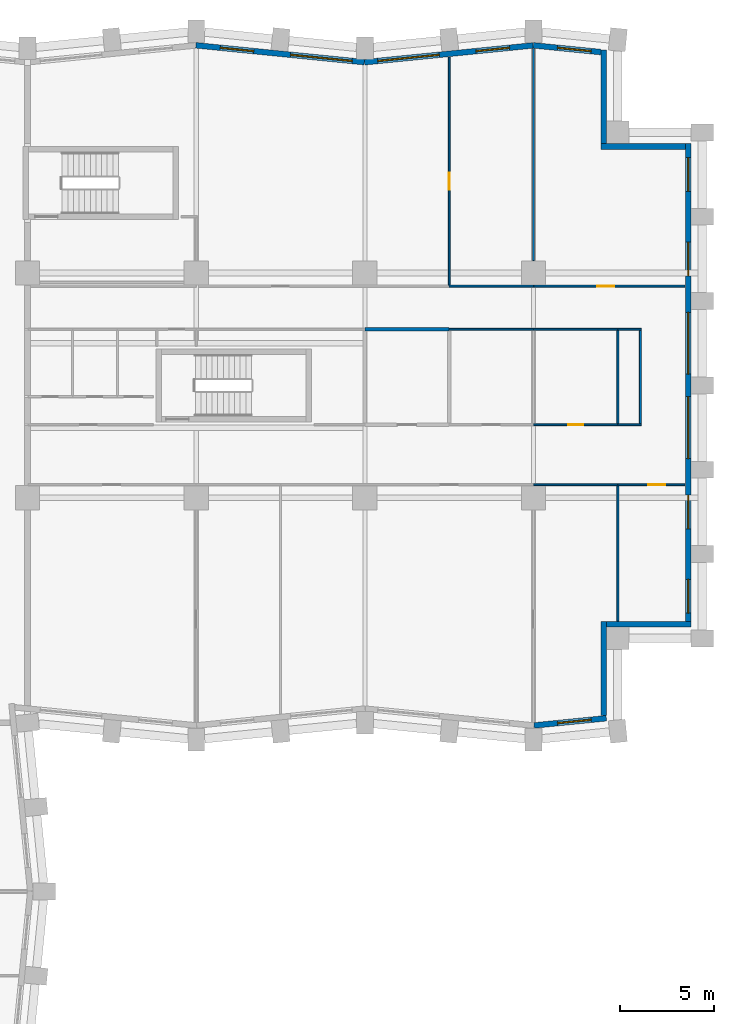
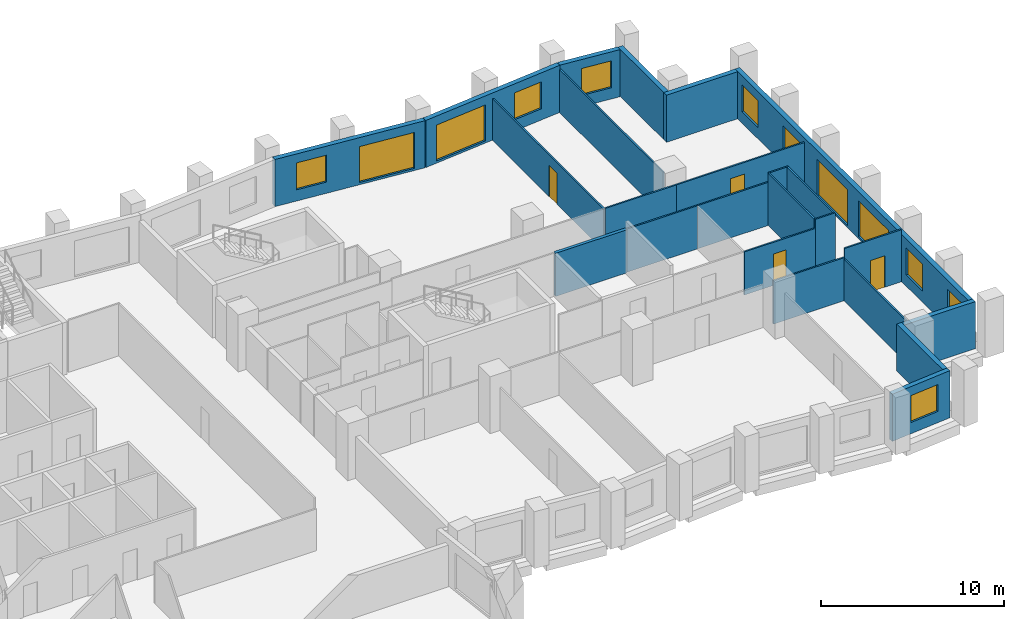
# One storey, part 8 of 11: 24 walls, 12 windows, 4 doors, 16 openings.
"""IFC4 building model written with IfcOpenShell, lengths in metres."""

from ifc_helpers import new_model, si_unit, direction, frame, frame_2d, origin, place, context, subcontext, project, spatial, rectangle, extrude, material, layer, layer_set, type_object, element, fill, save


model = new_model("IFC4")

# Units and contexts
model_context = context("Model", 3, precision=1e-05, world=origin(), true_north=direction((0.0, 1.0)))
body_context = subcontext(model_context, "Body", "Model", "MODEL_VIEW")
ifc_project = project(units=[si_unit("LENGTHUNIT", "METRE"), si_unit("AREAUNIT", "SQUARE_METRE"), si_unit("VOLUMEUNIT", "CUBIC_METRE"), si_unit("PLANEANGLEUNIT", "RADIAN"), si_unit("MASSUNIT", "GRAM", prefix="KILO")], contexts=[model_context])

# Site, building, storey
site_placement = place(None, origin())
site = spatial("IfcSite", under=ifc_project, at=site_placement, CompositionType="ELEMENT")
building_placement = place(site_placement, origin())
building = spatial("IfcBuilding", under=site, at=building_placement, Name="Brondeck Convention Tower", CompositionType="ELEMENT")
storey_placement = place(building_placement, frame((0.0, 0.0, 92.300048828125)))
storey = spatial("IfcBuildingStorey", under=building, at=storey_placement, Name="L21", CompositionType="ELEMENT", Elevation=92.300048828125)

# Wall, opening, window
ifc_material_1 = material(Name="Precast concrete C50/60 bronze finish", Category="concrete")
ifc_layer_1 = layer(ifc_material_1, 0.070068359375, Name="Bronze precast facing")
ifc_material_2 = material(Name="Mineral wool")
ifc_layer_2 = layer(ifc_material_2, 0.159912109375, Name="Insulation")
ifc_material_3 = material(Name="Concrete C35/45", Category="concrete")
ifc_layer_3 = layer(ifc_material_3, 0.070068359375, Name="Backing")
ifc_layer_set_1 = layer_set([ifc_layer_1, ifc_layer_2, ifc_layer_3], Name="External infill wall, precast concrete C50/60 bronze facing")
wall_type_1 = type_object("IfcWallType", Name="External infill wall, precast concrete C50/60 bronze facing", PredefinedType="SOLIDWALL", material=ifc_layer_set_1)
wall_1_placement = place(storey_placement, frame((66.885009765625, 27.2421875, 0.0), z_axis=(0.0, 0.0, 1.0), x_axis=(-0.995037814081, -0.099497480111, 0.0)))
wall_1 = element("IfcWall", 1, at=wall_1_placement, inside=storey, type_object=wall_type_1, Name="ENV-EW-L21-P0-A-S-06", PredefinedType="SOLIDWALL", context=body_context, shape_type="SweptSolid", body=[
    extrude(rectangle(XDim=3.87451171875, YDim=0.300048828125, at=frame_2d((1.937255859375, 0.0))), origin(), (0.0, 0.0, 1.0), 3.14990234375),
])
opening_1_placement = place(wall_1_placement, frame((0.818359375, 0.0, 0.75)))
opening_1 = element("IfcOpeningElement", 2, at=opening_1_placement, cuts=wall_1, Name="Opening W10", PredefinedType="OPENING", context=body_context, shape_type="SweptSolid", body=[
    extrude(rectangle(XDim=1.800048828125, YDim=1.800048828125, at=frame_2d((0.89990234375, 0.89990234375))), frame((0.0, 0.159912109375, 0.0), z_axis=(0.0, -1.0, 0.0), x_axis=(1.0, 0.0, 0.0)), (0.0, 0.0, 1.0), 0.320068359375),
])
ifc_material_4 = material(Name="Bronze tinted double glazing", Category="glass")
window_type_1 = type_object("IfcWindowType", Name="Punched window, bronze tinted", PartitioningType="SINGLE_PANEL", PredefinedType="WINDOW", material=ifc_material_4)
window_1_placement = place(opening_1_placement, origin())
window_1 = element("IfcWindow", 3, at=window_1_placement, inside=storey, type_object=window_type_1, Name="ENV-WN-L21-P0-A-S-06", OverallHeight=1.800048828125, OverallWidth=1.800048828125, PartitioningType="SINGLE_PANEL", PredefinedType="WINDOW", context=body_context, shape_type="SweptSolid", body=[
    extrude(rectangle(XDim=1.800048828125, YDim=1.800048828125, at=frame_2d((0.89990234375, 0.89990234375))), frame((0.0, 0.030029296875, 0.0), z_axis=(0.0, -1.0, 0.0), x_axis=(1.0, 0.0, 0.0)), (0.0, 0.0, 1.0), 0.06005859375),
])
fill(opening_1, window_1)

# Walls
wall_2_placement = place(storey_placement, frame((66.75, 32.39990234375, 0.0), z_axis=(0.0, 0.0, 1.0), x_axis=(0.0, -1.0, 0.0)))
element("IfcWall", 4, at=wall_2_placement, inside=storey, type_object=wall_type_1, Name="ENV-EW-L21-P0-NC-SEA72-01", PredefinedType="SOLIDWALL", context=body_context, shape_type="SweptSolid", body=[
    extrude(rectangle(XDim=5.019287109375, YDim=0.300048828125, at=frame_2d((2.509765625, 0.0))), origin(), (0.0, 0.0, 1.0), 3.14990234375),
])
wall_3_placement = place(storey_placement, frame((71.39990234375, 32.25, 0.0), z_axis=(0.0, 0.0, 1.0), x_axis=(-1.0, 0.0, 0.0)))
element("IfcWall", 5, at=wall_3_placement, inside=storey, type_object=wall_type_1, Name="ENV-EW-L21-P0-NC-SEA72-02", PredefinedType="SOLIDWALL", context=body_context, shape_type="SweptSolid", body=[
    extrude(rectangle(XDim=4.5, YDim=0.300048828125, at=frame_2d((2.25, 0.0))), origin(), (0.0, 0.0, 1.0), 3.14990234375),
])

# Wall, openings, windows
wall_4_placement = place(storey_placement, frame((71.25, 57.89990234375, 0.0), z_axis=(0.0, 0.0, 1.0), x_axis=(0.0, -1.0, 0.0)))
wall_4 = element("IfcWall", 6, at=wall_4_placement, inside=storey, type_object=wall_type_1, Name="ENV-EW-L21-P0-A-E72-01", PredefinedType="SOLIDWALL", context=body_context, shape_type="SweptSolid", body=[
    extrude(rectangle(XDim=25.501953125, YDim=0.300048828125, at=frame_2d((12.7509765625, 0.0))), origin(), (0.0, 0.0, 1.0), 3.14990234375),
])
opening_2_placement = place(wall_4_placement, frame((0.75, 0.0, 0.75)))
opening_2 = element("IfcOpeningElement", 7, at=opening_2_placement, cuts=wall_4, Name="Opening W10", PredefinedType="OPENING", context=body_context, shape_type="SweptSolid", body=[
    extrude(rectangle(XDim=1.800048828125, YDim=1.800048828125, at=frame_2d((0.89990234375, 0.89990234375))), frame((0.0, 0.159912109375, 0.0), z_axis=(0.0, -1.0, 0.0), x_axis=(1.0, 0.0, 0.0)), (0.0, 0.0, 1.0), 0.320068359375),
])
opening_3_placement = place(wall_4_placement, frame((5.25, 0.0, 0.75)))
opening_3 = element("IfcOpeningElement", 8, at=opening_3_placement, cuts=wall_4, Name="Opening W10", PredefinedType="OPENING", context=body_context, shape_type="SweptSolid", body=[
    extrude(rectangle(XDim=1.800048828125, YDim=1.800048828125, at=frame_2d((0.89990234375, 0.89990234375))), frame((0.0, 0.159912109375, 0.0), z_axis=(0.0, -1.0, 0.0), x_axis=(1.0, 0.0, 0.0)), (0.0, 0.0, 1.0), 0.320068359375),
])
opening_4_placement = place(wall_4_placement, frame((9.0, 0.0, 0.14990234375)))
opening_4 = element("IfcOpeningElement", 9, at=opening_4_placement, cuts=wall_4, Name="Opening W9", PredefinedType="OPENING", context=body_context, shape_type="SweptSolid", body=[
    extrude(rectangle(XDim=3.300048828125, YDim=2.39990234375, at=frame_2d((1.64990234375, 1.199951171875))), frame((0.0, 0.159912109375, 0.0), z_axis=(0.0, -1.0, 0.0), x_axis=(1.0, 0.0, 0.0)), (0.0, 0.0, 1.0), 0.320068359375),
])
opening_5_placement = place(wall_4_placement, frame((13.5, 0.0, 0.14990234375)))
opening_5 = element("IfcOpeningElement", 10, at=opening_5_placement, cuts=wall_4, Name="Opening W9", PredefinedType="OPENING", context=body_context, shape_type="SweptSolid", body=[
    extrude(rectangle(XDim=3.300048828125, YDim=2.39990234375, at=frame_2d((1.64990234375, 1.199951171875))), frame((0.0, 0.159912109375, 0.0), z_axis=(0.0, -1.0, 0.0), x_axis=(1.0, 0.0, 0.0)), (0.0, 0.0, 1.0), 0.320068359375),
])
opening_6_placement = place(wall_4_placement, frame((18.75, 0.0, 0.75)))
opening_6 = element("IfcOpeningElement", 11, at=opening_6_placement, cuts=wall_4, Name="Opening W10", PredefinedType="OPENING", context=body_context, shape_type="SweptSolid", body=[
    extrude(rectangle(XDim=1.800048828125, YDim=1.800048828125, at=frame_2d((0.89990234375, 0.89990234375))), frame((0.0, 0.159912109375, 0.0), z_axis=(0.0, -1.0, 0.0), x_axis=(1.0, 0.0, 0.0)), (0.0, 0.0, 1.0), 0.320068359375),
])
opening_7_placement = place(wall_4_placement, frame((23.25, 0.0, 0.75)))
opening_7 = element("IfcOpeningElement", 12, at=opening_7_placement, cuts=wall_4, Name="Opening W10", PredefinedType="OPENING", context=body_context, shape_type="SweptSolid", body=[
    extrude(rectangle(XDim=1.800048828125, YDim=1.800048828125, at=frame_2d((0.89990234375, 0.89990234375))), frame((0.0, 0.159912109375, 0.0), z_axis=(0.0, -1.0, 0.0), x_axis=(1.0, 0.0, 0.0)), (0.0, 0.0, 1.0), 0.320068359375),
])
window_type_2 = type_object("IfcWindowType", Name="Glazed flute window, bronze tinted", PartitioningType="SINGLE_PANEL", PredefinedType="WINDOW", material=ifc_material_4)
window_2_placement = place(opening_4_placement, origin())
window_2 = element("IfcWindow", 13, at=window_2_placement, inside=storey, type_object=window_type_2, Name="ENV-WN-L21-P0-A-E72-04", OverallHeight=2.39990234375, OverallWidth=3.300048828125, PartitioningType="SINGLE_PANEL", PredefinedType="WINDOW", context=body_context, shape_type="SweptSolid", body=[
    extrude(rectangle(XDim=3.300048828125, YDim=2.39990234375, at=frame_2d((1.64990234375, 1.199951171875))), frame((0.0, 0.030029296875, 0.0), z_axis=(0.0, -1.0, 0.0), x_axis=(1.0, 0.0, 0.0)), (0.0, 0.0, 1.0), 0.06005859375),
])
fill(opening_4, window_2)
window_3_placement = place(opening_5_placement, origin())
window_3 = element("IfcWindow", 14, at=window_3_placement, inside=storey, type_object=window_type_2, Name="ENV-WN-L21-P0-A-E72-03", OverallHeight=2.39990234375, OverallWidth=3.300048828125, PartitioningType="SINGLE_PANEL", PredefinedType="WINDOW", context=body_context, shape_type="SweptSolid", body=[
    extrude(rectangle(XDim=3.300048828125, YDim=2.39990234375, at=frame_2d((1.64990234375, 1.199951171875))), frame((0.0, 0.030029296875, 0.0), z_axis=(0.0, -1.0, 0.0), x_axis=(1.0, 0.0, 0.0)), (0.0, 0.0, 1.0), 0.06005859375),
])
fill(opening_5, window_3)
window_4_placement = place(opening_2_placement, origin())
window_4 = element("IfcWindow", 15, at=window_4_placement, inside=storey, type_object=window_type_1, Name="ENV-WN-L21-P0-A-E72-06", OverallHeight=1.800048828125, OverallWidth=1.800048828125, PartitioningType="SINGLE_PANEL", PredefinedType="WINDOW", context=body_context, shape_type="SweptSolid", body=[
    extrude(rectangle(XDim=1.800048828125, YDim=1.800048828125, at=frame_2d((0.89990234375, 0.89990234375))), frame((0.0, 0.030029296875, 0.0), z_axis=(0.0, -1.0, 0.0), x_axis=(1.0, 0.0, 0.0)), (0.0, 0.0, 1.0), 0.06005859375),
])
fill(opening_2, window_4)
window_5_placement = place(opening_3_placement, origin())
window_5 = element("IfcWindow", 16, at=window_5_placement, inside=storey, type_object=window_type_1, Name="ENV-WN-L21-P0-A-E72-05", OverallHeight=1.800048828125, OverallWidth=1.800048828125, PartitioningType="SINGLE_PANEL", PredefinedType="WINDOW", context=body_context, shape_type="SweptSolid", body=[
    extrude(rectangle(XDim=1.800048828125, YDim=1.800048828125, at=frame_2d((0.89990234375, 0.89990234375))), frame((0.0, 0.030029296875, 0.0), z_axis=(0.0, -1.0, 0.0), x_axis=(1.0, 0.0, 0.0)), (0.0, 0.0, 1.0), 0.06005859375),
])
fill(opening_3, window_5)
window_6_placement = place(opening_6_placement, origin())
window_6 = element("IfcWindow", 17, at=window_6_placement, inside=storey, type_object=window_type_1, Name="ENV-WN-L21-P0-A-E72-02", OverallHeight=1.800048828125, OverallWidth=1.800048828125, PartitioningType="SINGLE_PANEL", PredefinedType="WINDOW", context=body_context, shape_type="SweptSolid", body=[
    extrude(rectangle(XDim=1.800048828125, YDim=1.800048828125, at=frame_2d((0.89990234375, 0.89990234375))), frame((0.0, 0.030029296875, 0.0), z_axis=(0.0, -1.0, 0.0), x_axis=(1.0, 0.0, 0.0)), (0.0, 0.0, 1.0), 0.06005859375),
])
fill(opening_6, window_6)
window_7_placement = place(opening_7_placement, origin())
window_7 = element("IfcWindow", 18, at=window_7_placement, inside=storey, type_object=window_type_1, Name="ENV-WN-L21-P0-A-E72-01", OverallHeight=1.800048828125, OverallWidth=1.800048828125, PartitioningType="SINGLE_PANEL", PredefinedType="WINDOW", context=body_context, shape_type="SweptSolid", body=[
    extrude(rectangle(XDim=1.800048828125, YDim=1.800048828125, at=frame_2d((0.89990234375, 0.89990234375))), frame((0.0, 0.030029296875, 0.0), z_axis=(0.0, -1.0, 0.0), x_axis=(1.0, 0.0, 0.0)), (0.0, 0.0, 1.0), 0.06005859375),
])
fill(opening_7, window_7)

# Walls
wall_5_placement = place(storey_placement, frame((66.60009765625, 57.75, 0.0), z_axis=(0.0, 0.0, 1.0), x_axis=(1.0, 0.0, 0.0)))
element("IfcWall", 19, at=wall_5_placement, inside=storey, type_object=wall_type_1, Name="ENV-EW-L21-P0-NC-NEA72-01", PredefinedType="SOLIDWALL", context=body_context, shape_type="SweptSolid", body=[
    extrude(rectangle(XDim=4.5, YDim=0.300048828125, at=frame_2d((2.25, 0.0))), origin(), (0.0, 0.0, 1.0), 3.14990234375),
])
wall_6_placement = place(storey_placement, frame((66.75, 62.906982421875, 0.0), z_axis=(0.0, 0.0, 1.0), x_axis=(0.0, -1.0, 0.0)))
element("IfcWall", 20, at=wall_6_placement, inside=storey, type_object=wall_type_1, Name="ENV-EW-L21-P0-NC-NEA72-02", PredefinedType="SOLIDWALL", context=body_context, shape_type="SweptSolid", body=[
    extrude(rectangle(XDim=5.009033203125, YDim=0.300048828125, at=frame_2d((2.50439453125, 0.0))), origin(), (0.0, 0.0, 1.0), 3.14990234375),
])

# Wall, opening, window
wall_7_placement = place(storey_placement, frame((62.985107421875, 63.147705078125, 0.0), z_axis=(0.0, 0.0, 1.0), x_axis=(0.995038521274, -0.099490407478, 0.0)))
wall_7 = element("IfcWall", 21, at=wall_7_placement, inside=storey, type_object=wall_type_1, Name="ENV-EW-L21-P0-A-N-14", PredefinedType="SOLIDWALL", context=body_context, shape_type="SweptSolid", body=[
    extrude(rectangle(XDim=3.6318359375, YDim=0.300048828125, at=frame_2d((1.81591796875, 0.0))), origin(), (0.0, 0.0, 1.0), 3.14990234375),
])
opening_8_placement = place(wall_7_placement, frame((1.30126953125, 0.0, 0.75)))
opening_8 = element("IfcOpeningElement", 22, at=opening_8_placement, cuts=wall_7, Name="Opening W10", PredefinedType="OPENING", context=body_context, shape_type="SweptSolid", body=[
    extrude(rectangle(XDim=1.800048828125, YDim=1.800048828125, at=frame_2d((0.89990234375, 0.89990234375))), frame((0.0, 0.159912109375, 0.0), z_axis=(0.0, -1.0, 0.0), x_axis=(1.0, 0.0, 0.0)), (0.0, 0.0, 1.0), 0.320068359375),
])
window_8_placement = place(opening_8_placement, origin())
window_8 = element("IfcWindow", 23, at=window_8_placement, inside=storey, type_object=window_type_1, Name="ENV-WN-L21-P0-A-N-14", OverallHeight=1.800048828125, OverallWidth=1.800048828125, PartitioningType="SINGLE_PANEL", PredefinedType="WINDOW", context=body_context, shape_type="SweptSolid", body=[
    extrude(rectangle(XDim=1.800048828125, YDim=1.800048828125, at=frame_2d((0.89990234375, 0.89990234375))), frame((0.0, 0.030029296875, 0.0), z_axis=(0.0, -1.0, 0.0), x_axis=(1.0, 0.0, 0.0)), (0.0, 0.0, 1.0), 0.06005859375),
])
fill(opening_8, window_8)

# Wall, openings, windows
wall_8_placement = place(storey_placement, frame((53.985107421875, 62.244873046875, 0.0), z_axis=(0.0, 0.0, 1.0), x_axis=(0.995037993253, 0.099495688264, 0.0)))
wall_8 = element("IfcWall", 24, at=wall_8_placement, inside=storey, type_object=wall_type_1, Name="ENV-EW-L21-P0-A-N-13", PredefinedType="SOLIDWALL", context=body_context, shape_type="SweptSolid", body=[
    extrude(rectangle(XDim=9.030029296875, YDim=0.300048828125, at=frame_2d((4.51513671875, 0.0))), origin(), (0.0, 0.0, 1.0), 3.14990234375),
])
opening_9_placement = place(wall_8_placement, frame((0.701171875, 0.0, 0.14990234375)))
opening_9 = element("IfcOpeningElement", 25, at=opening_9_placement, cuts=wall_8, Name="Opening W9", PredefinedType="OPENING", context=body_context, shape_type="SweptSolid", body=[
    extrude(rectangle(XDim=3.300048828125, YDim=2.39990234375, at=frame_2d((1.64990234375, 1.199951171875))), frame((0.0, 0.159912109375, 0.0), z_axis=(0.0, -1.0, 0.0), x_axis=(1.0, 0.0, 0.0)), (0.0, 0.0, 1.0), 0.320068359375),
])
opening_10_placement = place(wall_8_placement, frame((5.9736328125, 0.0, 0.75)))
opening_10 = element("IfcOpeningElement", 26, at=opening_10_placement, cuts=wall_8, Name="Opening W10", PredefinedType="OPENING", context=body_context, shape_type="SweptSolid", body=[
    extrude(rectangle(XDim=1.800048828125, YDim=1.800048828125, at=frame_2d((0.89990234375, 0.89990234375))), frame((0.0, 0.159912109375, 0.0), z_axis=(0.0, -1.0, 0.0), x_axis=(1.0, 0.0, 0.0)), (0.0, 0.0, 1.0), 0.320068359375),
])
window_9_placement = place(opening_9_placement, origin())
window_9 = element("IfcWindow", 27, at=window_9_placement, inside=storey, type_object=window_type_2, Name="ENV-WN-L21-P0-A-N-12", OverallHeight=2.39990234375, OverallWidth=3.300048828125, PartitioningType="SINGLE_PANEL", PredefinedType="WINDOW", context=body_context, shape_type="SweptSolid", body=[
    extrude(rectangle(XDim=3.300048828125, YDim=2.39990234375, at=frame_2d((1.64990234375, 1.199951171875))), frame((0.0, 0.030029296875, 0.0), z_axis=(0.0, -1.0, 0.0), x_axis=(1.0, 0.0, 0.0)), (0.0, 0.0, 1.0), 0.06005859375),
])
fill(opening_9, window_9)
window_10_placement = place(opening_10_placement, origin())
window_10 = element("IfcWindow", 28, at=window_10_placement, inside=storey, type_object=window_type_1, Name="ENV-WN-L21-P0-A-N-13", OverallHeight=1.800048828125, OverallWidth=1.800048828125, PartitioningType="SINGLE_PANEL", PredefinedType="WINDOW", context=body_context, shape_type="SweptSolid", body=[
    extrude(rectangle(XDim=1.800048828125, YDim=1.800048828125, at=frame_2d((0.89990234375, 0.89990234375))), frame((0.0, 0.030029296875, 0.0), z_axis=(0.0, -1.0, 0.0), x_axis=(1.0, 0.0, 0.0)), (0.0, 0.0, 1.0), 0.06005859375),
])
fill(opening_10, window_10)

wall_9_placement = place(storey_placement, frame((44.985107421875, 63.147705078125, 0.0), z_axis=(0.0, 0.0, 1.0), x_axis=(0.995037993253, -0.099495688264, 0.0)))
wall_9 = element("IfcWall", 29, at=wall_9_placement, inside=storey, type_object=wall_type_1, Name="ENV-EW-L21-P0-A-N-11", PredefinedType="SOLIDWALL", context=body_context, shape_type="SweptSolid", body=[
    extrude(rectangle(XDim=9.030029296875, YDim=0.300048828125, at=frame_2d((4.51513671875, 0.0))), origin(), (0.0, 0.0, 1.0), 3.14990234375),
])
opening_11_placement = place(wall_9_placement, frame((1.30126953125, 0.0, 0.75)))
opening_11 = element("IfcOpeningElement", 30, at=opening_11_placement, cuts=wall_9, Name="Opening W10", PredefinedType="OPENING", context=body_context, shape_type="SweptSolid", body=[
    extrude(rectangle(XDim=1.800048828125, YDim=1.800048828125, at=frame_2d((0.89990234375, 0.89990234375))), frame((0.0, 0.159912109375, 0.0), z_axis=(0.0, -1.0, 0.0), x_axis=(1.0, 0.0, 0.0)), (0.0, 0.0, 1.0), 0.320068359375),
])
opening_12_placement = place(wall_9_placement, frame((5.073486328125, 0.0, 0.14990234375)))
opening_12 = element("IfcOpeningElement", 31, at=opening_12_placement, cuts=wall_9, Name="Opening W9", PredefinedType="OPENING", context=body_context, shape_type="SweptSolid", body=[
    extrude(rectangle(XDim=3.300048828125, YDim=2.39990234375, at=frame_2d((1.64990234375, 1.199951171875))), frame((0.0, 0.159912109375, 0.0), z_axis=(0.0, -1.0, 0.0), x_axis=(1.0, 0.0, 0.0)), (0.0, 0.0, 1.0), 0.320068359375),
])
window_11_placement = place(opening_12_placement, origin())
window_11 = element("IfcWindow", 32, at=window_11_placement, inside=storey, type_object=window_type_2, Name="ENV-WN-L21-P0-A-N-11", OverallHeight=2.39990234375, OverallWidth=3.300048828125, PartitioningType="SINGLE_PANEL", PredefinedType="WINDOW", context=body_context, shape_type="SweptSolid", body=[
    extrude(rectangle(XDim=3.300048828125, YDim=2.39990234375, at=frame_2d((1.64990234375, 1.199951171875))), frame((0.0, 0.030029296875, 0.0), z_axis=(0.0, -1.0, 0.0), x_axis=(1.0, 0.0, 0.0)), (0.0, 0.0, 1.0), 0.06005859375),
])
fill(opening_12, window_11)
window_12_placement = place(opening_11_placement, origin())
window_12 = element("IfcWindow", 33, at=window_12_placement, inside=storey, type_object=window_type_1, Name="ENV-WN-L21-P0-A-N-10", OverallHeight=1.800048828125, OverallWidth=1.800048828125, PartitioningType="SINGLE_PANEL", PredefinedType="WINDOW", context=body_context, shape_type="SweptSolid", body=[
    extrude(rectangle(XDim=1.800048828125, YDim=1.800048828125, at=frame_2d((0.89990234375, 0.89990234375))), frame((0.0, 0.030029296875, 0.0), z_axis=(0.0, -1.0, 0.0), x_axis=(1.0, 0.0, 0.0)), (0.0, 0.0, 1.0), 0.06005859375),
])
fill(opening_11, window_12)

# Walls
ifc_material_5 = material(Name="Concrete block wall C16/20", Category="concrete")
ifc_layer_4 = layer(ifc_material_5, 0.199951171875)
ifc_layer_set_2 = layer_set([ifc_layer_4], Name="Plant room wall 200")
wall_type_2 = type_object("IfcWallType", Name="Plant room wall 200", PredefinedType="PARTITIONING", material=ifc_layer_set_2)
wall_10_placement = place(storey_placement, frame((58.5, 48.0, 0.0), z_axis=(0.0, 0.0, 1.0), x_axis=(-1.0, 0.0, 0.0)))
element("IfcWall", 34, at=wall_10_placement, inside=storey, type_object=wall_type_2, Name="FLR-L21-W064", PredefinedType="PARTITIONING", context=body_context, shape_type="SweptSolid", body=[
    extrude(rectangle(XDim=4.5, YDim=0.199951171875, at=frame_2d((2.25, 0.0))), origin(), (0.0, 0.0, 1.0), 2.8798828125),
])
ifc_material_6 = material(Name="Gypsum board partition on steel studs", Category="steel")
ifc_layer_5 = layer(ifc_material_6, 0.10009765625)
ifc_layer_set_3 = layer_set([ifc_layer_5], Name="Room partition 100")
wall_type_3 = type_object("IfcWallType", Name="Room partition 100", PredefinedType="PARTITIONING", material=ifc_layer_set_3)
wall_11_placement = place(storey_placement, frame((67.5, 39.64990234375, 0.0), z_axis=(0.0, 0.0, 1.0), x_axis=(0.0, -1.0, 0.0)))
element("IfcWall", 35, at=wall_11_placement, inside=storey, type_object=wall_type_3, Name="FLR-L21-W032", PredefinedType="PARTITIONING", context=body_context, shape_type="SweptSolid", body=[
    extrude(rectangle(XDim=7.22998046875, YDim=0.10009765625, at=frame_2d((3.614990234375, 0.0))), origin(), (0.0, 0.0, 1.0), 2.780029296875),
])
wall_12_placement = place(storey_placement, frame((67.5, 39.699951171875, 0.0), z_axis=(0.0, 0.0, 1.0), x_axis=(-1.0, 0.0, 0.0)))
element("IfcWall", 36, at=wall_12_placement, inside=storey, type_object=wall_type_3, Name="FLR-L21-W036", PredefinedType="PARTITIONING", context=body_context, shape_type="SweptSolid", body=[
    extrude(rectangle(XDim=4.5, YDim=0.10009765625, at=frame_2d((2.25, 0.0))), origin(), (0.0, 0.0, 1.0), 2.8798828125),
])

# Wall, opening, door
wall_13_placement = place(storey_placement, frame((71.080078125, 39.699951171875, 0.0), z_axis=(0.0, 0.0, 1.0), x_axis=(-1.0, 0.0, 0.0)))
wall_13 = element("IfcWall", 37, at=wall_13_placement, inside=storey, type_object=wall_type_3, Name="FLR-L21-W037", PredefinedType="PARTITIONING", context=body_context, shape_type="SweptSolid", body=[
    extrude(rectangle(XDim=3.580078125, YDim=0.10009765625, at=frame_2d((1.7900390625, 0.0))), origin(), (0.0, 0.0, 1.0), 3.47998046875),
])
opening_13_placement = place(wall_13_placement, frame((1.048095703125, 0.0, 0.0)))
opening_13 = element("IfcOpeningElement", 38, at=opening_13_placement, cuts=wall_13, Name="Opening OF-A-014", PredefinedType="OPENING", context=body_context, shape_type="SweptSolid", body=[
    extrude(rectangle(XDim=0.89990234375, YDim=2.10009765625, at=frame_2d((0.449951171875, 1.050048828125))), frame((0.0, 0.06005859375, 0.0), z_axis=(0.0, -1.0, 0.0), x_axis=(1.0, 0.0, 0.0)), (0.0, 0.0, 1.0), 0.1201171875),
])
ifc_material_7 = material(Name="Solid timber door leaf", Category="wood")
door_type_1 = type_object("IfcDoorType", Name="Single door 900", OperationType="NOTDEFINED", PredefinedType="DOOR", material=ifc_material_7)
door_1_placement = place(opening_13_placement, origin())
door_1 = element("IfcDoor", 39, at=door_1_placement, inside=storey, type_object=door_type_1, Name="Door OF-A-014", OperationType="SINGLE_SWING_LEFT", OverallHeight=2.10009765625, OverallWidth=0.89990234375, PredefinedType="DOOR", context=body_context, shape_type="SweptSolid", body=[
    extrude(rectangle(XDim=0.89990234375, YDim=2.10009765625, at=frame_2d((0.449951171875, 1.050048828125))), frame((0.0, 0.02490234375, 0.0), z_axis=(0.0, -1.0, 0.0), x_axis=(1.0, 0.0, 0.0)), (0.0, 0.0, 1.0), 0.050048828125),
])
fill(opening_13, door_1)

wall_14_placement = place(storey_placement, frame((63.0, 42.89990234375, 0.0), z_axis=(0.0, 0.0, 1.0), x_axis=(1.0, 0.0, 0.0)))
wall_14 = element("IfcWall", 40, at=wall_14_placement, inside=storey, type_object=wall_type_3, Name="FLR-L21-W043", PredefinedType="PARTITIONING", context=body_context, shape_type="SweptSolid", body=[
    extrude(rectangle(XDim=4.5, YDim=0.10009765625, at=frame_2d((2.25, 0.0))), origin(), (0.0, 0.0, 1.0), 2.8798828125),
])
opening_14_placement = place(wall_14_placement, frame((1.85009765625, 0.0, 0.0)))
opening_14 = element("IfcOpeningElement", 41, at=opening_14_placement, cuts=wall_14, Name="Opening OF-A-009", PredefinedType="OPENING", context=body_context, shape_type="SweptSolid", body=[
    extrude(rectangle(XDim=0.800048828125, YDim=2.10009765625, at=frame_2d((0.39990234375, 1.050048828125))), frame((0.0, 0.06005859375, 0.0), z_axis=(0.0, -1.0, 0.0), x_axis=(1.0, 0.0, 0.0)), (0.0, 0.0, 1.0), 0.1201171875),
])
ifc_material_8 = material(Name="Steel service door leaf", Category="steel")
door_type_2 = type_object("IfcDoorType", Name="Service door 800", OperationType="NOTDEFINED", PredefinedType="DOOR", material=ifc_material_8)
door_2_placement = place(opening_14_placement, origin())
door_2 = element("IfcDoor", 42, at=door_2_placement, inside=storey, type_object=door_type_2, Name="Door OF-A-009", OperationType="SINGLE_SWING_RIGHT", OverallHeight=2.10009765625, OverallWidth=0.800048828125, PredefinedType="DOOR", context=body_context, shape_type="SweptSolid", body=[
    extrude(rectangle(XDim=0.800048828125, YDim=2.10009765625, at=frame_2d((0.39990234375, 1.050048828125))), frame((0.0, 0.02490234375, 0.0), z_axis=(0.0, -1.0, 0.0), x_axis=(1.0, 0.0, 0.0)), (0.0, 0.0, 1.0), 0.050048828125),
])
fill(opening_14, door_2)

# Walls
wall_15_placement = place(storey_placement, frame((67.5, 42.89990234375, 0.0), z_axis=(0.0, 0.0, 1.0), x_axis=(1.0, 0.0, 0.0)))
element("IfcWall", 43, at=wall_15_placement, inside=storey, type_object=wall_type_3, Name="FLR-L21-W044", PredefinedType="PARTITIONING", context=body_context, shape_type="SweptSolid", body=[
    extrude(rectangle(XDim=1.25, YDim=0.10009765625, at=frame_2d((0.625, 0.0))), origin(), (0.0, 0.0, 1.0), 3.47998046875),
])
for number, where, z_axis, x_axis, name in (
    (44, (68.699951171875, 42.949951171875, 0.0), (0.0, 0.0, 1.0), (0.0, 1.0, 0.0), "FLR-L21-W046"),
    (45, (67.5, 47.949951171875, 0.0), (0.0, 0.0, 1.0), (0.0, -1.0, 0.0), "FLR-L21-W058"),
):
    element("IfcWall", number, at=place(storey_placement, frame(where, z_axis=z_axis, x_axis=x_axis)), inside=storey, type_object=wall_type_3, Name=name, PredefinedType="PARTITIONING", context=body_context, shape_type="SweptSolid", body=[
        extrude(rectangle(XDim=5.0, YDim=0.10009765625, at=frame_2d((2.5, 0.0))), origin(), (0.0, 0.0, 1.0), 3.47998046875),
    ])
for number, where, z_axis, x_axis, name in (
    (46, (63.0, 48.0, 0.0), (0.0, 0.0, 1.0), (-1.0, 0.0, 0.0), "FLR-L21-W065"),
    (47, (67.5, 48.0, 0.0), (0.0, 0.0, 1.0), (-1.0, 0.0, 0.0), "FLR-L21-W066"),
):
    element("IfcWall", number, at=place(storey_placement, frame(where, z_axis=z_axis, x_axis=x_axis)), inside=storey, type_object=wall_type_3, Name=name, PredefinedType="PARTITIONING", context=body_context, shape_type="SweptSolid", body=[
        extrude(rectangle(XDim=4.5, YDim=0.10009765625, at=frame_2d((2.25, 0.0))), origin(), (0.0, 0.0, 1.0), 2.8798828125),
    ])
wall_16_placement = place(storey_placement, frame((68.75, 48.0, 0.0), z_axis=(0.0, 0.0, 1.0), x_axis=(-1.0, 0.0, 0.0)))
element("IfcWall", 48, at=wall_16_placement, inside=storey, type_object=wall_type_3, Name="FLR-L21-W067", PredefinedType="PARTITIONING", context=body_context, shape_type="SweptSolid", body=[
    extrude(rectangle(XDim=1.25, YDim=0.10009765625, at=frame_2d((0.625, 0.0))), origin(), (0.0, 0.0, 1.0), 3.47998046875),
])
wall_17_placement = place(storey_placement, frame((58.5, 50.300048828125, 0.0), z_axis=(0.0, 0.0, 1.0), x_axis=(1.0, 0.0, 0.0)))
element("IfcWall", 49, at=wall_17_placement, inside=storey, type_object=wall_type_3, Name="FLR-L21-W071", PredefinedType="PARTITIONING", context=body_context, shape_type="SweptSolid", body=[
    extrude(rectangle(XDim=4.5, YDim=0.10009765625, at=frame_2d((2.25, 0.0))), origin(), (0.0, 0.0, 1.0), 2.8798828125),
])

# Wall, opening, door
wall_18_placement = place(storey_placement, frame((63.0, 50.300048828125, 0.0), z_axis=(0.0, 0.0, 1.0), x_axis=(1.0, 0.0, 0.0)))
wall_18 = element("IfcWall", 50, at=wall_18_placement, inside=storey, type_object=wall_type_3, Name="FLR-L21-W072", PredefinedType="PARTITIONING", context=body_context, shape_type="SweptSolid", body=[
    extrude(rectangle(XDim=8.080078125, YDim=0.10009765625, at=frame_2d((4.0400390625, 0.0))), origin(), (0.0, 0.0, 1.0), 2.8798828125),
])
opening_15_placement = place(wall_18_placement, frame((3.39892578125, 0.0, 0.0)))
opening_15 = element("IfcOpeningElement", 51, at=opening_15_placement, cuts=wall_18, Name="Opening OF-A-017", PredefinedType="OPENING", context=body_context, shape_type="SweptSolid", body=[
    extrude(rectangle(XDim=0.89990234375, YDim=2.10009765625, at=frame_2d((0.449951171875, 1.050048828125))), frame((0.0, 0.06005859375, 0.0), z_axis=(0.0, -1.0, 0.0), x_axis=(1.0, 0.0, 0.0)), (0.0, 0.0, 1.0), 0.1201171875),
])
door_3_placement = place(opening_15_placement, origin())
door_3 = element("IfcDoor", 52, at=door_3_placement, inside=storey, type_object=door_type_1, Name="Door OF-A-017", OperationType="SINGLE_SWING_LEFT", OverallHeight=2.10009765625, OverallWidth=0.89990234375, PredefinedType="DOOR", context=body_context, shape_type="SweptSolid", body=[
    extrude(rectangle(XDim=0.89990234375, YDim=2.10009765625, at=frame_2d((0.449951171875, 1.050048828125))), frame((0.0, 0.02490234375, 0.0), z_axis=(0.0, -1.0, 0.0), x_axis=(1.0, 0.0, 0.0)), (0.0, 0.0, 1.0), 0.050048828125),
])
fill(opening_15, door_3)

wall_19_placement = place(storey_placement, frame((58.5, 62.525390625, 0.0), z_axis=(0.0, 0.0, 1.0), x_axis=(0.0, -1.0, 0.0)))
wall_19 = element("IfcWall", 53, at=wall_19_placement, inside=storey, type_object=wall_type_3, Name="FLR-L21-W080", PredefinedType="PARTITIONING", context=body_context, shape_type="SweptSolid", body=[
    extrude(rectangle(XDim=12.17529296875, YDim=0.10009765625, at=frame_2d((6.087646484375, 0.0))), origin(), (0.0, 0.0, 1.0), 2.780029296875),
])
opening_16_placement = place(wall_19_placement, frame((6.180419921875, 0.0, 0.0)))
opening_16 = element("IfcOpeningElement", 54, at=opening_16_placement, cuts=wall_19, Name="Opening OF-A-016", PredefinedType="OPENING", context=body_context, shape_type="SweptSolid", body=[
    extrude(rectangle(XDim=0.89990234375, YDim=2.10009765625, at=frame_2d((0.449951171875, 1.050048828125))), frame((0.0, 0.06005859375, 0.0), z_axis=(0.0, -1.0, 0.0), x_axis=(1.0, 0.0, 0.0)), (0.0, 0.0, 1.0), 0.1201171875),
])
door_4_placement = place(opening_16_placement, origin())
door_4 = element("IfcDoor", 55, at=door_4_placement, inside=storey, type_object=door_type_1, Name="Door OF-A-016", OperationType="SINGLE_SWING_LEFT", OverallHeight=2.10009765625, OverallWidth=0.89990234375, PredefinedType="DOOR", context=body_context, shape_type="SweptSolid", body=[
    extrude(rectangle(XDim=0.89990234375, YDim=2.10009765625, at=frame_2d((0.449951171875, 1.050048828125))), frame((0.0, 0.02490234375, 0.0), z_axis=(0.0, -1.0, 0.0), x_axis=(1.0, 0.0, 0.0)), (0.0, 0.0, 1.0), 0.050048828125),
])
fill(opening_16, door_4)

# Wall
wall_20_placement = place(storey_placement, frame((63.0, 62.9755859375, 0.0), z_axis=(0.0, 0.0, 1.0), x_axis=(0.0, -1.0, 0.0)))
element("IfcWall", 56, at=wall_20_placement, inside=storey, type_object=wall_type_3, Name="FLR-L21-W081", PredefinedType="PARTITIONING", context=body_context, shape_type="SweptSolid", body=[
    extrude(rectangle(XDim=11.320556640625, YDim=0.10009765625, at=frame_2d((5.66015625, 0.0))), origin(), (0.0, 0.0, 1.0), 2.8798828125),
])

save(model, "model.ifc")
